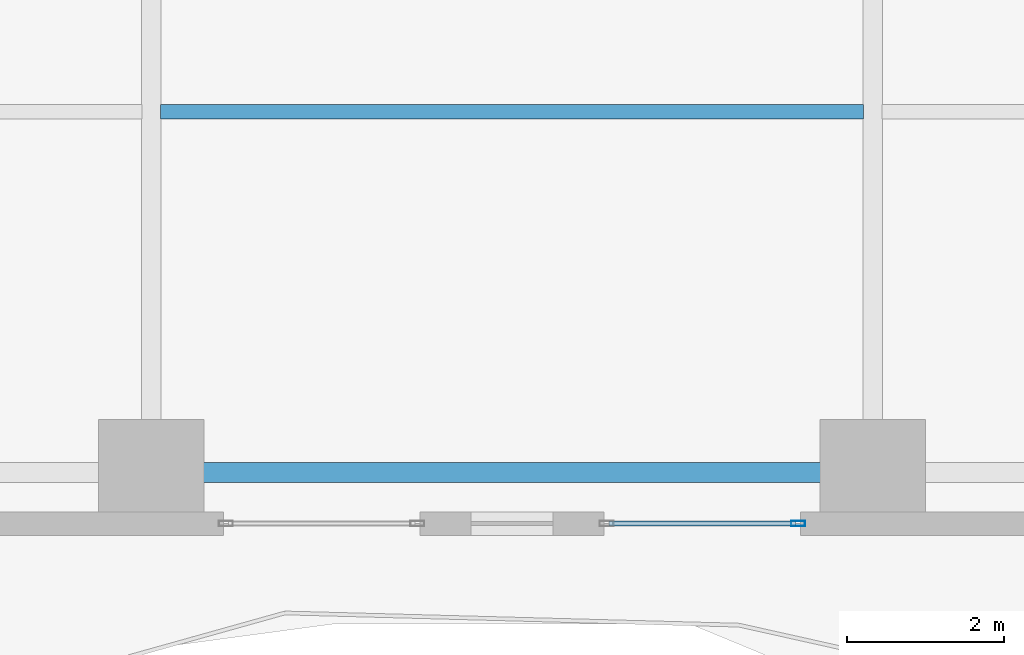
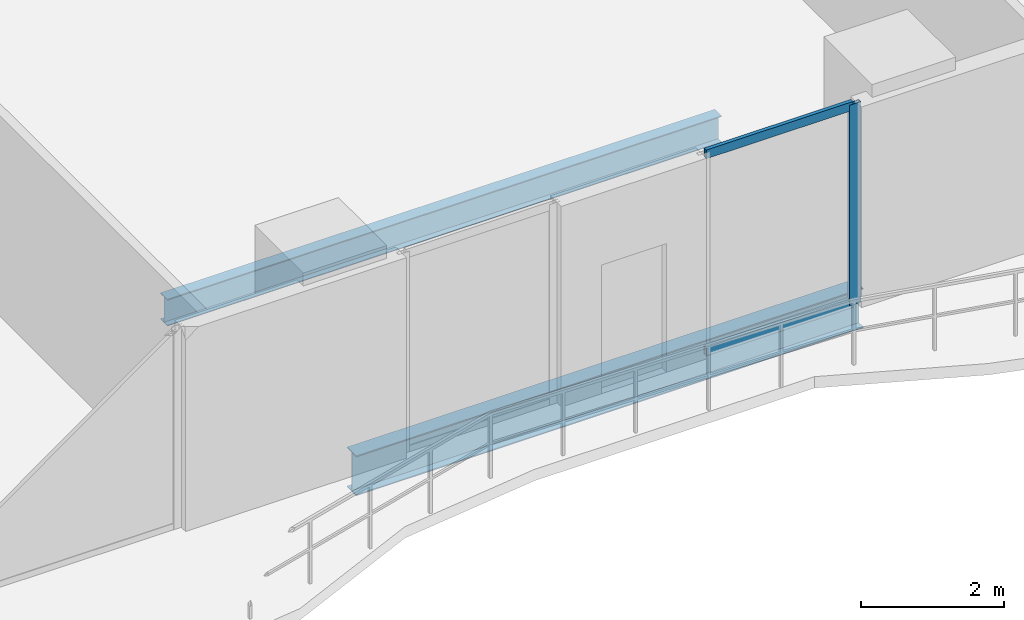
# One storey, part 5 of 29: 3 members, 2 beams, 1 element without a shape of its own.
"""IFC4 building model written with IfcOpenShell, lengths in metres."""

from ifc_helpers import new_model, si_unit, direction, frame, origin, origin_2d, place, context, subcontext, project, spatial, hollow_rectangle, i_section, extrude, material, layer, layer_set, material_profile, profile_set, type_object, element, aggregate, save


model = new_model("IFC4")

# Units and contexts
model_context = context("Model", 3, precision=1e-05, world=origin(), true_north=direction((0.0, 1.0)))
body_context = subcontext(model_context, "Body", "Model", "MODEL_VIEW")
ifc_project = project(units=[si_unit("LENGTHUNIT", "METRE"), si_unit("AREAUNIT", "SQUARE_METRE"), si_unit("VOLUMEUNIT", "CUBIC_METRE"), si_unit("PLANEANGLEUNIT", "RADIAN"), si_unit("MASSUNIT", "GRAM", prefix="KILO")], contexts=[model_context])

# Site, building, storey
site_placement = place(None, origin())
site = spatial("IfcSite", under=ifc_project, at=site_placement, CompositionType="ELEMENT")
building_placement = place(site_placement, origin())
building = spatial("IfcBuilding", under=site, at=building_placement, Name="Zuhayl Quay Hotel", CompositionType="ELEMENT")
storey_placement = place(building_placement, frame((0.0, 0.0, 113.89990234375)))
storey = spatial("IfcBuildingStorey", under=building, at=storey_placement, Name="L28", CompositionType="ELEMENT", Elevation=113.89990234375)

# Beams
ifc_material_1 = material(Name="Steel ASTM A992 Grade 50", Category="steel")
ifc_material_profile_1 = material_profile(ifc_material_1, i_section(OverallWidth=0.25390625, OverallDepth=0.68310546875, WebThickness=0.012451171875, FlangeThickness=0.018798828125, at=origin_2d()), Name="W27X94")
ifc_profile_set_1 = profile_set([ifc_material_profile_1], Name="Steel ASTM A992 Grade 50")
beam_type_1 = type_object("IfcBeamType", Name="BM_B2_W27X94", PredefinedType="BEAM", material=ifc_profile_set_1)
beam_1_placement = place(storey_placement, frame((-4.10009765625, -14.75, -0.5615234375), z_axis=(1.0, 0.0, 0.0), x_axis=(0.0, 1.0, 0.0)))
element("IfcBeam", 1, at=beam_1_placement, inside=storey, type_object=beam_type_1, Name="L28 Floor Beam RG_L28_02", PredefinedType="BEAM", context=body_context, shape_type="SweptSolid", body=[
    extrude(i_section(OverallWidth=0.25390625, OverallDepth=0.68310546875, WebThickness=0.012451171875, FlangeThickness=0.018798828125, at=origin_2d()), origin(), (0.0, 0.0, 1.0), 8.2001953125),
])
ifc_material_profile_2 = material_profile(ifc_material_1, i_section(OverallWidth=0.18994140625, OverallDepth=0.45703125, WebThickness=0.009033203125, FlangeThickness=0.014404296875, at=origin_2d()), Name="W18X50")
ifc_profile_set_2 = profile_set([ifc_material_profile_2], Name="Steel ASTM A992 Grade 50")
beam_type_2 = type_object("IfcBeamType", Name="BM_J2_W18X50", PredefinedType="JOIST", material=ifc_profile_set_2)
beam_2_placement = place(storey_placement, frame((-4.48095703125, -10.14990234375, -0.448486328125), z_axis=(1.0, 0.0, 0.0), x_axis=(0.0, 1.0, 0.0)))
element("IfcBeam", 2, at=beam_2_placement, inside=storey, type_object=beam_type_2, Name="L28 Floor Beam FJ_L28_5_2", PredefinedType="JOIST", context=body_context, shape_type="SweptSolid", body=[
    extrude(i_section(OverallWidth=0.18994140625, OverallDepth=0.45703125, WebThickness=0.009033203125, FlangeThickness=0.014404296875, at=origin_2d()), origin(), (0.0, 0.0, 1.0), 8.9619140625),
])

# Curtain wall, members
ifc_material_2 = material(Name="Anodised Aluminium 6063-T6", Category="aluminium")
ifc_layer = layer(ifc_material_2, 0.179931640625, Name="Anodised Aluminium 6063-T6", Category="aluminium")
ifc_layer_set = layer_set([ifc_layer], Name="Anodised Aluminium 6063-T6")
curtain_wall_type = type_object("IfcCurtainWallType", Name="CW_SYS_Z2", PredefinedType="USERDEFINED", material=ifc_layer_set)
curtain_wall_placement = place(storey_placement, origin())
curtain_wall = element("IfcCurtainWall", 3, at=curtain_wall_placement, inside=storey, type_object=curtain_wall_type, Name="L28 Curtain Wall ENV_L28_S_CW3", ObjectType="UNITISED CURTAIN WALL", PredefinedType="USERDEFINED")
ifc_material_3 = material(Name="Black-anodised aluminium 6063-T6", Category="aluminium")
ifc_material_profile_3 = material_profile(ifc_material_3, hollow_rectangle(XDim=0.06494140625, YDim=0.179931640625, WallThickness=0.00341796875, at=origin_2d()), Name="ALU180X65")
ifc_profile_set_3 = profile_set([ifc_material_profile_3], Name="Black-anodised aluminium 6063-T6")
member_type_1 = type_object("IfcMemberType", Name="MB_CW_MUL_180", PredefinedType="MULLION", material=ifc_profile_set_3)
member_1_placement = place(storey_placement, frame((3.6474609375, -15.39990234375, 0.0), z_axis=(0.0, 0.0, 1.0), x_axis=(0.0, -1.0, 0.0)))
member_1 = element("IfcMember", 4, at=member_1_placement, type_object=member_type_1, Name="CW-Z2 mullion 1", PredefinedType="MULLION", context=body_context, shape_type="SweptSolid", body=[
    extrude(hollow_rectangle(XDim=0.06494140625, YDim=0.179931640625, WallThickness=0.00341796875, at=origin_2d()), origin(), (0.0, 0.0, 1.0), 3.43017578125),
])
ifc_material_profile_4 = material_profile(ifc_material_3, hollow_rectangle(XDim=0.06005859375, YDim=0.14990234375, WallThickness=0.00341796875, at=origin_2d()), Name="ALU150X60")
ifc_profile_set_4 = profile_set([ifc_material_profile_4], Name="Black-anodised aluminium 6063-T6")
member_type_2 = type_object("IfcMemberType", Name="MB_CW_TRN_150", PredefinedType="USERDEFINED", material=ifc_profile_set_4)
member_2_placement = place(storey_placement, frame((3.614990234375, -15.39990234375, 0.030029296875), z_axis=(-1.0, 0.0, 0.0), x_axis=(0.0, -1.0, 0.0)))
member_2 = element("IfcMember", 5, at=member_2_placement, type_object=member_type_2, Name="CW-Z2 transom 1.1", ObjectType="TRANSOM", PredefinedType="USERDEFINED", context=body_context, shape_type="SweptSolid", body=[
    extrude(hollow_rectangle(XDim=0.06005859375, YDim=0.14990234375, WallThickness=0.00341796875, at=origin_2d()), origin(), (0.0, 0.0, 1.0), 2.375),
])
member_3_placement = place(storey_placement, frame((3.614990234375, -15.39990234375, 3.400146484375), z_axis=(-1.0, 0.0, 0.0), x_axis=(0.0, -1.0, 0.0)))
member_3 = element("IfcMember", 6, at=member_3_placement, type_object=member_type_2, Name="CW-Z2 transom 1.2", ObjectType="TRANSOM", PredefinedType="USERDEFINED", context=body_context, shape_type="SweptSolid", body=[
    extrude(hollow_rectangle(XDim=0.06005859375, YDim=0.14990234375, WallThickness=0.00341796875, at=origin_2d()), origin(), (0.0, 0.0, 1.0), 2.375),
])
aggregate(curtain_wall, [member_1, member_2, member_3])

save(model, "model.ifc")
